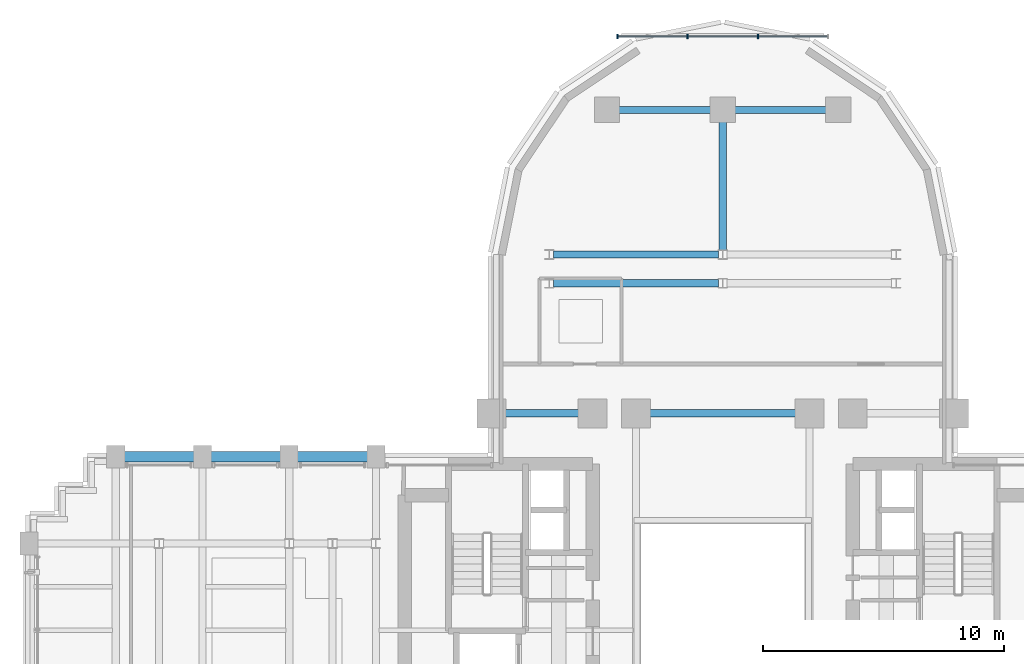
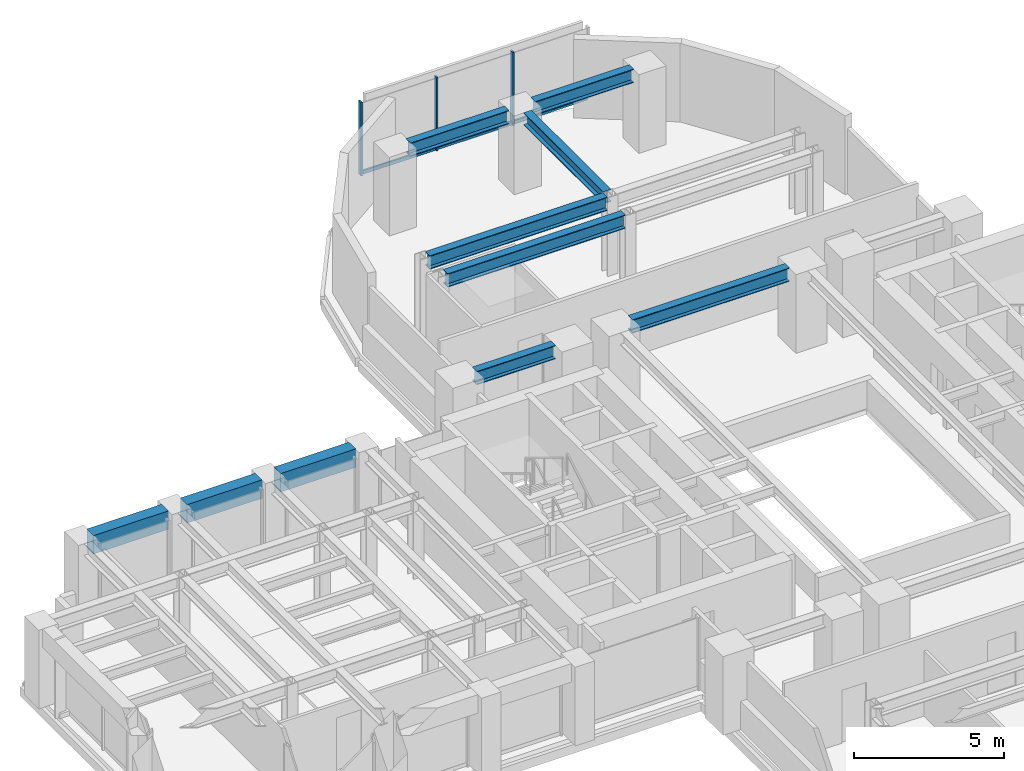
# One storey, part 7 of 16: 10 beams, 6 members, 1 element without a shape of its own.
"""IFC4 building model written with IfcOpenShell, lengths in metres."""

import ifcopenshell
import ifcopenshell.guid

model = None  # the IFC model being written
_history = None  # IfcOwnerHistory: only IFC2X3 demands one
_inside = {}  # id of a spatial element -> (the spatial element, [elements in it])
_under = {}  # id of a project, library or spatial element -> (it, [spatial elements below it])
_declared = {}  # id of a project -> (the project, [libraries it declares])
_typed = {}  # id of a type object -> (the type object, [elements of that type])
_made_of = {}  # id of a material, layer set ... -> (it, [elements and type objects made of it])


def new_model(schema):
    """Start an empty IFC model of exactly this schema.

    Asked for "IFC4X3", IfcOpenShell would pick the latest addendum, in which some entities
    have other attributes; the version numbers below select the first issue.
    IFC2X3 requires an IfcOwnerHistory on every rooted entity: one is made here for all.
    """
    global model, _history
    if schema == "IFC4X3":
        model = ifcopenshell.file(schema_version=(4, 3, 0, 0))
    else:
        model = ifcopenshell.file(schema=schema)
    _inside.clear()
    _under.clear()
    _declared.clear()
    _typed.clear()
    _made_of.clear()
    _history = None
    if model.schema == "IFC2X3":
        org = make("IfcOrganization", Name="unknown")
        user = make(
            "IfcPersonAndOrganization",
            ThePerson=make("IfcPerson", FamilyName="unknown"),
            TheOrganization=org,
        )
        app = make(
            "IfcApplication",
            ApplicationDeveloper=org,
            Version="unknown",
            ApplicationFullName="unknown",
            ApplicationIdentifier="unknown",
        )
        _history = make(
            "IfcOwnerHistory",
            OwningUser=user,
            OwningApplication=app,
            ChangeAction="ADDED",
            CreationDate=0,
        )
    return model


def make(cls, **values):
    """One entity of the class cls with the attributes given. An attribute that is None is left unset."""
    return model.create_entity(
        cls, **{name: value for name, value in values.items() if value is not None}
    )


def rooted(cls, **values):
    """An entity with a GlobalId (a new one), such as an element, a storey or a relation."""
    return make(cls, GlobalId=ifcopenshell.guid.new(), OwnerHistory=_history, **values)


def si_unit(unit_type, name, prefix=None):
    """IfcSIUnit, for example si_unit("LENGTHUNIT", "METRE", prefix="MILLI")."""
    return make("IfcSIUnit", UnitType=unit_type, Prefix=prefix, Name=name)


def assignment(units):
    """IfcUnitAssignment: the units of a project."""
    return None if units is None else make("IfcUnitAssignment", Units=units)


def point(xyz):
    """IfcCartesianPoint."""
    return None if xyz is None else make("IfcCartesianPoint", Coordinates=xyz)


def direction(xyz):
    """IfcDirection."""
    return None if xyz is None else make("IfcDirection", DirectionRatios=xyz)


def frame(location, z_axis=None, x_axis=None):
    """IfcAxis2Placement3D, a coordinate frame: its origin and axes. An axis left out is left unset."""
    return make(
        "IfcAxis2Placement3D",
        Location=point(location),
        Axis=direction(z_axis),
        RefDirection=direction(x_axis),
    )


def frame_2d(location, x_axis=None):
    """IfcAxis2Placement2D, a coordinate frame in the plane: its origin and x axis."""
    return make(
        "IfcAxis2Placement2D", Location=point(location), RefDirection=direction(x_axis)
    )


def origin():
    """The frame at (0, 0, 0) with its axes left unset."""
    return frame((0.0, 0.0, 0.0))


def origin_2d():
    """The frame at (0, 0) in the plane with its x axis left unset."""
    return frame_2d((0.0, 0.0))


def place(relative_to, where):
    """IfcLocalPlacement: puts the frame where relative to a parent placement (None: the world)."""
    return make(
        "IfcLocalPlacement", PlacementRelTo=relative_to, RelativePlacement=where
    )


def context(
    kind, dimensions, precision=None, world=None, true_north=None, identifier=None
):
    """IfcGeometricRepresentationContext, for example the 3D "Model" context."""
    return make(
        "IfcGeometricRepresentationContext",
        ContextIdentifier=identifier,
        ContextType=kind,
        CoordinateSpaceDimension=dimensions,
        Precision=precision,
        WorldCoordinateSystem=world,
        TrueNorth=true_north,
    )


def subcontext(parent, identifier, kind, view, scale=None):
    """IfcGeometricRepresentationSubContext, for example "Body" below "Model"."""
    return make(
        "IfcGeometricRepresentationSubContext",
        ContextIdentifier=identifier,
        ContextType=kind,
        ParentContext=parent,
        TargetScale=scale,
        TargetView=view,
    )


def project(units=None, contexts=None):
    """IfcProject with its units and contexts."""
    return rooted(
        "IfcProject",
        Name="project",
        RepresentationContexts=contexts,
        UnitsInContext=assignment(units),
    )


def spatial(cls, under=None, at=None, **own):
    """A site, building, storey or space (cls), placed at a placement, below another one or the project."""
    s = rooted(cls, ObjectPlacement=at, **own)
    if under is not None:
        _under.setdefault(under.id(), (under, []))[1].append(s)
    return s


def profile(cls, at=None, kind="AREA", **sizes):
    """A parametric profile (cls). Its sizes go by their IFC names, for example OverallWidth=200.0."""
    return make(cls, ProfileType=kind, Position=at, **sizes)


def rectangle(**sizes):
    """IfcRectangleProfileDef."""
    return profile("IfcRectangleProfileDef", **sizes)


def i_section(**sizes):
    """IfcIShapeProfileDef."""
    return profile("IfcIShapeProfileDef", **sizes)


def extrude(swept, where, along, depth):
    """IfcExtrudedAreaSolid: the profile swept, set in the frame where, extruded along a direction by depth."""
    return make(
        "IfcExtrudedAreaSolid",
        SweptArea=swept,
        Position=where,
        ExtrudedDirection=direction(along),
        Depth=depth,
    )


def shape(context_of_items, identifier, shape_type, items):
    """IfcShapeRepresentation: the items that make up one representation, for example the "Body"."""
    return make(
        "IfcShapeRepresentation",
        ContextOfItems=context_of_items,
        RepresentationIdentifier=identifier,
        RepresentationType=shape_type,
        Items=items,
    )


def source(mapping_origin, context_of_items, identifier, shape_type, items):
    """IfcRepresentationMap: a shape defined once, which mapped items show again and again."""
    return make(
        "IfcRepresentationMap",
        MappingOrigin=mapping_origin,
        MappedRepresentation=shape(context_of_items, identifier, shape_type, items),
    )


def transform(
    local_origin,
    x_axis=None,
    y_axis=None,
    z_axis=None,
    scale=None,
    scale2=None,
    scale3=None,
    uniform=True,
):
    """IfcCartesianTransformationOperator3D, or its non-uniform kind. x_axis, y_axis, z_axis: its Axis1, 2, 3."""
    if uniform:
        return make(
            "IfcCartesianTransformationOperator3D",
            Axis1=direction(x_axis),
            Axis2=direction(y_axis),
            LocalOrigin=point(local_origin),
            Scale=scale,
            Axis3=direction(z_axis),
        )
    return make(
        "IfcCartesianTransformationOperator3DnonUniform",
        Axis1=direction(x_axis),
        Axis2=direction(y_axis),
        LocalOrigin=point(local_origin),
        Scale=scale,
        Axis3=direction(z_axis),
        Scale2=scale2,
        Scale3=scale3,
    )


def mapped(mapping_source, mapping_target):
    """IfcMappedItem: shows the shape of a source again, moved by a transform."""
    return make(
        "IfcMappedItem", MappingSource=mapping_source, MappingTarget=mapping_target
    )


def material(Name=None, Category=None):
    """IfcMaterial."""
    return make("IfcMaterial", Name=Name, Category=Category)


def material_profile(
    of_material, cross_section, Name=None, Category=None, Priority=None
):
    """IfcMaterialProfile: a cross section and its material."""
    return make(
        "IfcMaterialProfile",
        Name=Name,
        Material=of_material,
        Profile=cross_section,
        Priority=Priority,
        Category=Category,
    )


def profile_set(profiles, Name=None, composite=None):
    """IfcMaterialProfileSet."""
    return make(
        "IfcMaterialProfileSet",
        Name=Name,
        MaterialProfiles=profiles,
        CompositeProfile=composite,
    )


def made_of(thing, what):
    """Note that an element or type object is made of a material, layer set ...; save() writes the relation."""
    if what is not None:
        _made_of.setdefault(what.id(), (what, []))[1].append(thing)
    return thing


def type_object(cls, material=None, **own):
    """A type object (cls), such as IfcWallType, which elements share."""
    return made_of(rooted(cls, **own), material)


def element(
    cls,
    number,
    at=None,
    inside=None,
    cuts=None,
    type_object=None,
    material=None,
    context=None,
    identifier="Body",
    shape_type=None,
    held_by="IfcProductDefinitionShape",
    body=None,
    shapes=None,
    **own,
):
    """One element of the class cls, such as IfcWall. Its Tag is "e" and its number.

    at: its placement. inside: the storey or other place that contains it. cuts: it is an
    opening in that element (IfcRelVoidsElement). A single representation is given by context,
    identifier, shape_type and body (its items); several are given by shapes. held_by: the class
    of the entity that holds the representations. save() writes the other relations.
    """
    e = rooted(cls, Tag="e%d" % number, ObjectPlacement=at, **own)
    if body is not None:
        shapes = [shape(context, identifier, shape_type, body)]
    if shapes is not None:
        e.Representation = make(held_by, Representations=shapes)
    if inside is not None:
        _inside.setdefault(inside.id(), (inside, []))[1].append(e)
    if cuts is not None:
        rooted(
            "IfcRelVoidsElement", RelatingBuildingElement=cuts, RelatedOpeningElement=e
        )
    if type_object is not None:
        _typed.setdefault(type_object.id(), (type_object, []))[1].append(e)
    return made_of(e, material)


def aggregate(whole, parts):
    """IfcRelAggregates: a whole, such as a stair, and the parts it consists of."""
    return rooted("IfcRelAggregates", RelatingObject=whole, RelatedObjects=parts)


def save(model, path):
    """Write the relations noted so far, then the file.

    IfcRelAggregates (storeys below a building ...), IfcRelContainedInSpatialStructure (elements
    in a storey), IfcRelDefinesByType, IfcRelAssociatesMaterial and IfcRelDeclares: one each for
    every whole, place, type object, material and project.
    """
    for whole, parts in _under.values():
        aggregate(whole, parts)
    for where, things in _inside.values():
        rooted(
            "IfcRelContainedInSpatialStructure",
            RelatedElements=things,
            RelatingStructure=where,
        )
    for kind, things in _typed.values():
        rooted("IfcRelDefinesByType", RelatedObjects=things, RelatingType=kind)
    for what, things in _made_of.values():
        rooted("IfcRelAssociatesMaterial", RelatedObjects=things, RelatingMaterial=what)
    for by, libraries in _declared.values():
        rooted("IfcRelDeclares", RelatingContext=by, RelatedDefinitions=libraries)
    model.write(path)


model = new_model("IFC4")

# Units and contexts
model_context = context("Model", 3, precision=1e-05, world=origin(), true_north=direction((0.0, 1.0)))
body_context = subcontext(model_context, "Body", "Model", "MODEL_VIEW")
ifc_project = project(units=[si_unit("LENGTHUNIT", "METRE"), si_unit("AREAUNIT", "SQUARE_METRE"), si_unit("VOLUMEUNIT", "CUBIC_METRE"), si_unit("PLANEANGLEUNIT", "RADIAN"), si_unit("MASSUNIT", "GRAM", prefix="KILO")], contexts=[model_context])

# Site, building, storey
site_placement = place(None, origin())
site = spatial("IfcSite", under=ifc_project, at=site_placement, CompositionType="ELEMENT")
building_placement = place(site_placement, origin())
building = spatial("IfcBuilding", under=site, at=building_placement, Name="Keilestroom Media Tower", CompositionType="ELEMENT")
storey_placement = place(building_placement, frame((0.0, 0.0, 51.0)))
storey = spatial("IfcBuildingStorey", under=building, at=storey_placement, Name="L12", CompositionType="ELEMENT", Elevation=51.0)

# Beams
ifc_material_1 = material(Name="Steel S355", Category="steel")
ifc_material_profile_1 = material_profile(ifc_material_1, i_section(OverallWidth=0.300048828125, OverallDepth=0.550048828125, WebThickness=0.012939453125, FlangeThickness=0.029052734375, at=origin_2d()), Name="HEB 550")
ifc_profile_set_1 = profile_set([ifc_material_profile_1], Name="Steel S355")
beam_type_1 = type_object("IfcBeamType", Name="Primary-Structural-Girder-HEB-550", PredefinedType="BEAM", material=ifc_profile_set_1)
shared_shape_1 = source(origin(), body_context, "Body", "SweptSolid", [
    extrude(i_section(OverallWidth=0.300048828125, OverallDepth=0.550048828125, WebThickness=0.012939453125, FlangeThickness=0.029052734375, at=origin_2d()), origin(), (0.0, 0.0, 1.0), 3.7900390625),
])
for number, where, z_axis, x_axis, name in (
    (1, (-4.294921875, 21.60009765625, 2.925048828125), (1.0, 0.0, 0.0), (0.0, 1.0, 0.0), "L12 Beam BG-5 BM-L12-EW-049"),
    (2, (0.5048828125, 21.60009765625, 2.925048828125), (1.0, 0.0, 0.0), (0.0, 1.0, 0.0), "L12 Beam BG-5 BM-L12-EW-050"),
):
    element("IfcBeam", number, at=place(storey_placement, frame(where, z_axis=z_axis, x_axis=x_axis)), inside=storey, type_object=beam_type_1, Name=name, PredefinedType="BEAM", context=body_context, shape_type="MappedRepresentation", body=[
        mapped(shared_shape_1, transform((0.0, 0.0, 0.0), x_axis=(1.0, 0.0, 0.0), y_axis=(0.0, 1.0, 0.0), z_axis=(0.0, 0.0, 1.0), scale=1.0)),
    ])
shared_shape_2 = source(origin(), body_context, "Body", "SweptSolid", [
    extrude(i_section(OverallWidth=0.300048828125, OverallDepth=0.550048828125, WebThickness=0.012939453125, FlangeThickness=0.029052734375, at=origin_2d()), origin(), (0.0, 0.0, 1.0), 6.836181640625),
])
for number, where, z_axis, x_axis, name in (
    (3, (-7.01806640625, 14.39990234375, 2.925048828125), (1.0, 0.0, 0.0), (0.0, 1.0, 0.0), "L12 Beam BG-5 BM-L12-EW-045"),
    (4, (-7.01806640625, 15.60009765625, 2.925048828125), (1.0, 0.0, 0.0), (0.0, 1.0, 0.0), "L12 Beam BG-5 BM-L12-EW-047"),
):
    element("IfcBeam", number, at=place(storey_placement, frame(where, z_axis=z_axis, x_axis=x_axis)), inside=storey, type_object=beam_type_1, Name=name, PredefinedType="BEAM", context=body_context, shape_type="MappedRepresentation", body=[
        mapped(shared_shape_2, transform((0.0, 0.0, 0.0), x_axis=(1.0, 0.0, 0.0), y_axis=(0.0, 1.0, 0.0), z_axis=(0.0, 0.0, 1.0), scale=1.0)),
    ])
shared_shape_3 = source(origin(), body_context, "Body", "SweptSolid", [
    extrude(i_section(OverallWidth=0.300048828125, OverallDepth=0.550048828125, WebThickness=0.012939453125, FlangeThickness=0.029052734375, at=origin_2d()), origin(), (0.0, 0.0, 1.0), 3.0400390625),
])
beam_1_placement = place(storey_placement, frame((-9.02001953125, 9.0, 2.925048828125), z_axis=(1.0, 0.0, 0.0), x_axis=(0.0, 1.0, 0.0)))
element("IfcBeam", 5, at=beam_1_placement, inside=storey, type_object=beam_type_1, Name="L12 Beam BG-5 BM-L12-EW-040", PredefinedType="BEAM", context=body_context, shape_type="MappedRepresentation", body=[
    mapped(shared_shape_3, transform((0.0, 0.0, 0.0), x_axis=(1.0, 0.0, 0.0), y_axis=(0.0, 1.0, 0.0), z_axis=(0.0, 0.0, 1.0), scale=1.0)),
])
shared_shape_4 = source(origin(), body_context, "Body", "SweptSolid", [
    extrude(i_section(OverallWidth=0.300048828125, OverallDepth=0.550048828125, WebThickness=0.012939453125, FlangeThickness=0.029052734375, at=origin_2d()), origin(), (0.0, 0.0, 1.0), 6.0400390625),
])
beam_2_placement = place(storey_placement, frame((-3.02001953125, 9.0, 2.925048828125), z_axis=(1.0, 0.0, 0.0), x_axis=(0.0, 1.0, 0.0)))
element("IfcBeam", 6, at=beam_2_placement, inside=storey, type_object=beam_type_1, Name="L12 Beam BG-5 BM-L12-EW-042", PredefinedType="BEAM", context=body_context, shape_type="MappedRepresentation", body=[
    mapped(shared_shape_4, transform((0.0, 0.0, 0.0), x_axis=(1.0, 0.0, 0.0), y_axis=(0.0, 1.0, 0.0), z_axis=(0.0, 0.0, 1.0), scale=1.0)),
])
ifc_material_2 = material(Name="Precast concrete C40/50", Category="concrete")
ifc_material_profile_2 = material_profile(ifc_material_2, rectangle(XDim=0.449951171875, YDim=0.75, at=origin_2d()), Name="PC 450x750")
ifc_profile_set_2 = profile_set([ifc_material_profile_2], Name="Precast concrete C40/50")
beam_type_2 = type_object("IfcBeamType", Name="Perimeter-Spandrel-Beam-PC-450x750", PredefinedType="SPANDREL", material=ifc_profile_set_2)
shared_shape_5 = source(origin(), body_context, "Body", "SweptSolid", [
    extrude(rectangle(XDim=0.449951171875, YDim=0.75, at=origin_2d()), origin(), (0.0, 0.0, 1.0), 2.889892578125),
])
beam_3_placement = place(storey_placement, frame((-24.844970703125, 7.199951171875, 2.824951171875), z_axis=(1.0, 0.0, 0.0), x_axis=(0.0, 1.0, 0.0)))
element("IfcBeam", 7, at=beam_3_placement, inside=storey, type_object=beam_type_2, Name="L12 Beam SPB-1 BM-L12-EW-034", PredefinedType="SPANDREL", context=body_context, shape_type="MappedRepresentation", body=[
    mapped(shared_shape_5, transform((0.0, 0.0, 0.0), x_axis=(1.0, 0.0, 0.0), y_axis=(0.0, 1.0, 0.0), z_axis=(0.0, 0.0, 1.0), scale=1.0)),
])
shared_shape_6 = source(origin(), body_context, "Body", "SweptSolid", [
    extrude(rectangle(XDim=0.449951171875, YDim=0.75, at=origin_2d()), origin(), (0.0, 0.0, 1.0), 2.89013671875),
])
for number, where, z_axis, x_axis, name in (
    (8, (-21.2451171875, 7.199951171875, 2.824951171875), (1.0, 0.0, 0.0), (0.0, 1.0, 0.0), "L12 Beam SPB-1 BM-L12-EW-035"),
    (9, (-17.64501953125, 7.199951171875, 2.824951171875), (1.0, 0.0, 0.0), (0.0, 1.0, 0.0), "L12 Beam SPB-1 BM-L12-EW-036"),
):
    element("IfcBeam", number, at=place(storey_placement, frame(where, z_axis=z_axis, x_axis=x_axis)), inside=storey, type_object=beam_type_2, Name=name, PredefinedType="SPANDREL", context=body_context, shape_type="MappedRepresentation", body=[
        mapped(shared_shape_6, transform((0.0, 0.0, 0.0), x_axis=(1.0, 0.0, 0.0), y_axis=(0.0, 1.0, 0.0), z_axis=(0.0, 0.0, 1.0), scale=1.0)),
    ])
ifc_material_profile_3 = material_profile(ifc_material_1, i_section(OverallWidth=0.300048828125, OverallDepth=0.5, WebThickness=0.012451171875, FlangeThickness=0.028076171875, at=origin_2d()), Name="HEB 500")
ifc_profile_set_3 = profile_set([ifc_material_profile_3], Name="Steel S355")
beam_type_3 = type_object("IfcBeamType", Name="Primary-Structural-Girder-HEB-500", PredefinedType="BEAM", material=ifc_profile_set_3)
shared_shape_7 = source(origin(), body_context, "Body", "SweptSolid", [
    extrude(i_section(OverallWidth=0.300048828125, OverallDepth=0.5, WebThickness=0.012451171875, FlangeThickness=0.028076171875, at=origin_2d()), origin(), (0.0, 0.0, 1.0), 5.3115234375),
])
beam_4_placement = place(storey_placement, frame((0.0, 15.783447265625, 2.949951171875), z_axis=(0.0, 1.0, 0.0), x_axis=(-1.0, 0.0, 0.0)))
element("IfcBeam", 10, at=beam_4_placement, inside=storey, type_object=beam_type_3, Name="L12 Beam BG-6 BM-L12-NS-070", PredefinedType="BEAM", context=body_context, shape_type="MappedRepresentation", body=[
    mapped(shared_shape_7, transform((0.0, 0.0, 0.0), x_axis=(1.0, 0.0, 0.0), y_axis=(0.0, 1.0, 0.0), z_axis=(0.0, 0.0, 1.0), scale=1.0)),
])

# Curtain wall, members
ifc_material_3 = material(Name="Anodised Aluminium Alloy", Category="aluminium")
curtain_wall_type = type_object("IfcCurtainWallType", Name="Unitised-Curtain-Wall-CW-6", PredefinedType="NOTDEFINED", material=ifc_material_3)
curtain_wall_placement = place(storey_placement, origin())
curtain_wall = element("IfcCurtainWall", 11, at=curtain_wall_placement, inside=storey, type_object=curtain_wall_type, Name="L12 Curtain Wall CW-6 CW-L12-LN-1", PredefinedType="NOTDEFINED")
ifc_material_profile_4 = material_profile(ifc_material_3, rectangle(XDim=0.06494140625, YDim=0.179931640625, at=origin_2d()), Name="ALU MULLION 65x180")
ifc_profile_set_4 = profile_set([ifc_material_profile_4], Name="Anodised Aluminium Alloy")
member_type_1 = type_object("IfcMemberType", Name="Curtain-Wall-Mullion-CW-6", PredefinedType="MULLION", material=ifc_profile_set_4)
shared_shape_8 = source(origin(), body_context, "Body", "SweptSolid", [
    extrude(rectangle(XDim=0.06494140625, YDim=0.179931640625, at=origin_2d()), origin(), (0.0, 0.0, 1.0), 2.97998046875),
])
member_1_placement = place(storey_placement, frame((-4.367431640625, 24.64990234375, 0.0), z_axis=(0.0, 0.0, 1.0), x_axis=(1.0, 0.0, 0.0)))
member_1 = element("IfcMember", 12, at=member_1_placement, type_object=member_type_1, Name="CW-6 Mullion 00", PredefinedType="MULLION", context=body_context, shape_type="MappedRepresentation", body=[
    mapped(shared_shape_8, transform((0.0, 0.0, 0.0), x_axis=(1.0, 0.0, 0.0), y_axis=(0.0, 1.0, 0.0), z_axis=(0.0, 0.0, 1.0), scale=1.0)),
])
member_2_placement = place(storey_placement, frame((-1.466796875, 24.64990234375, 0.0), z_axis=(0.0, 0.0, 1.0), x_axis=(1.0, 0.0, 0.0)))
member_2 = element("IfcMember", 13, at=member_2_placement, type_object=member_type_1, Name="CW-6 Mullion 01", PredefinedType="MULLION", context=body_context, shape_type="MappedRepresentation", body=[
    mapped(shared_shape_8, transform((0.0, 0.0, 0.0), x_axis=(1.0, 0.0, 0.0), y_axis=(0.0, 1.0, 0.0), z_axis=(0.0, 0.0, 1.0), scale=1.0)),
])
member_3_placement = place(storey_placement, frame((1.466796875, 24.64990234375, 0.0), z_axis=(0.0, 0.0, 1.0), x_axis=(1.0, 0.0, 0.0)))
member_3 = element("IfcMember", 14, at=member_3_placement, type_object=member_type_1, Name="CW-6 Mullion 02", PredefinedType="MULLION", context=body_context, shape_type="MappedRepresentation", body=[
    mapped(shared_shape_8, transform((0.0, 0.0, 0.0), x_axis=(1.0, 0.0, 0.0), y_axis=(0.0, 1.0, 0.0), z_axis=(0.0, 0.0, 1.0), scale=1.0)),
])
ifc_material_profile_5 = material_profile(ifc_material_3, rectangle(XDim=0.06494140625, YDim=0.14990234375, at=origin_2d()), Name="ALU TRANSOM 65x150")
ifc_profile_set_5 = profile_set([ifc_material_profile_5], Name="Anodised Aluminium Alloy")
member_type_2 = type_object("IfcMemberType", Name="Curtain-Wall-Transom-CW-6", PredefinedType="USERDEFINED", material=ifc_profile_set_5)
shared_shape_9 = source(origin(), body_context, "Body", "SweptSolid", [
    extrude(rectangle(XDim=0.06494140625, YDim=0.14990234375, at=origin_2d()), origin(), (0.0, 0.0, 1.0), 2.839599609375),
])
member_4_placement = place(storey_placement, frame((-4.3369140625, 24.64990234375, 0.074951171875), z_axis=(1.0, 0.0, 0.0), x_axis=(0.0, 1.0, 0.0)))
member_4 = element("IfcMember", 15, at=member_4_placement, type_object=member_type_2, Name="CW-6 Transom 00.1", ObjectType="TRANSOM", PredefinedType="USERDEFINED", context=body_context, shape_type="MappedRepresentation", body=[
    mapped(shared_shape_9, transform((0.0, 0.0, 0.0), x_axis=(1.0, 0.0, 0.0), y_axis=(0.0, 1.0, 0.0), z_axis=(0.0, 0.0, 1.0), scale=1.0)),
])
member_5_placement = place(storey_placement, frame((1.497314453125, 24.64990234375, 0.074951171875), z_axis=(1.0, 0.0, 0.0), x_axis=(0.0, 1.0, 0.0)))
member_5 = element("IfcMember", 16, at=member_5_placement, type_object=member_type_2, Name="CW-6 Transom 02.1", ObjectType="TRANSOM", PredefinedType="USERDEFINED", context=body_context, shape_type="MappedRepresentation", body=[
    mapped(shared_shape_9, transform((0.0, 0.0, 0.0), x_axis=(1.0, 0.0, 0.0), y_axis=(0.0, 1.0, 0.0), z_axis=(0.0, 0.0, 1.0), scale=1.0)),
])
shared_shape_10 = source(origin(), body_context, "Body", "SweptSolid", [
    extrude(rectangle(XDim=0.06494140625, YDim=0.14990234375, at=origin_2d()), origin(), (0.0, 0.0, 1.0), 2.87255859375),
])
member_6_placement = place(storey_placement, frame((-1.436279296875, 24.64990234375, 0.074951171875), z_axis=(1.0, 0.0, 0.0), x_axis=(0.0, 1.0, 0.0)))
member_6 = element("IfcMember", 17, at=member_6_placement, type_object=member_type_2, Name="CW-6 Transom 01.1", ObjectType="TRANSOM", PredefinedType="USERDEFINED", context=body_context, shape_type="MappedRepresentation", body=[
    mapped(shared_shape_10, transform((0.0, 0.0, 0.0), x_axis=(1.0, 0.0, 0.0), y_axis=(0.0, 1.0, 0.0), z_axis=(0.0, 0.0, 1.0), scale=1.0)),
])
aggregate(curtain_wall, [member_1, member_2, member_3, member_4, member_6, member_5])

save(model, "model.ifc")
